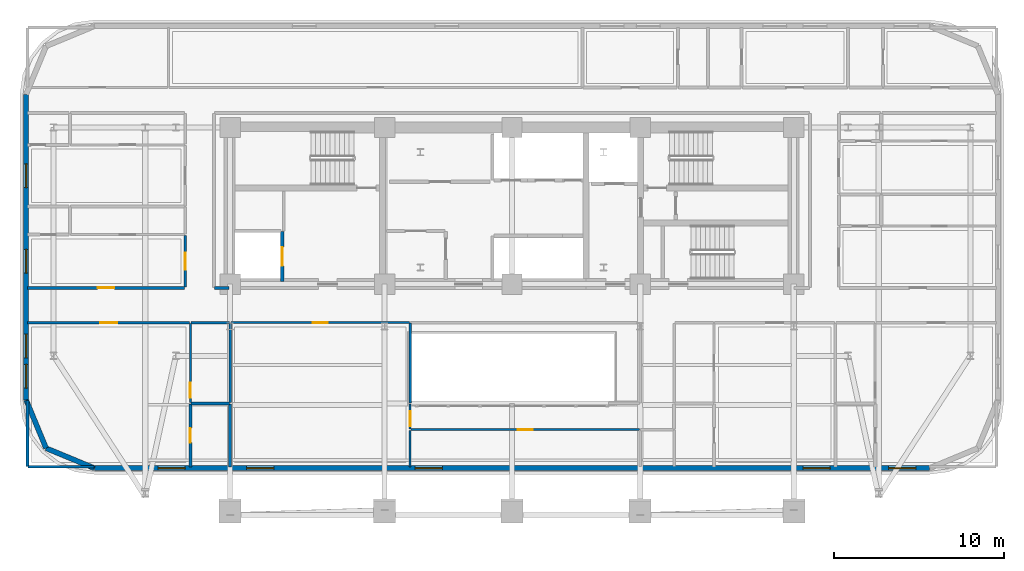
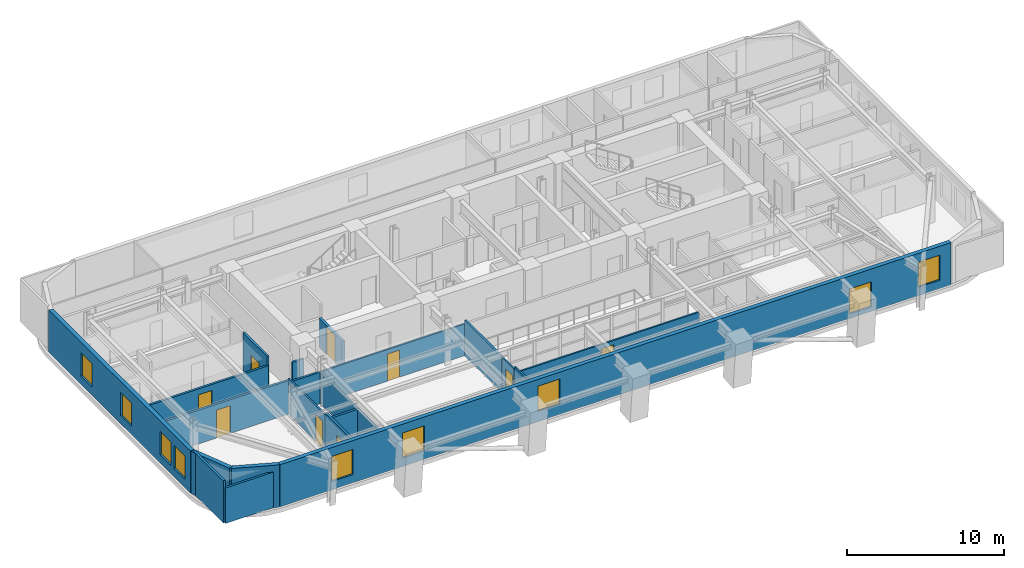
# One storey, part 7 of 14: 22 walls, 9 doors, 9 windows, 18 openings.
"""IFC4 building model written with IfcOpenShell, lengths in metres."""

from ifc_helpers import new_model, si_unit, direction, frame, frame_2d, origin, place, context, subcontext, project, spatial, rectangle, extrude, material, layer, layer_set, type_object, element, fill, save


model = new_model("IFC4")

# Units and contexts
model_context = context("Model", 3, precision=1e-05, world=origin(), true_north=direction((0.0, 1.0)))
body_context = subcontext(model_context, "Body", "Model", "MODEL_VIEW")
ifc_project = project(units=[si_unit("LENGTHUNIT", "METRE"), si_unit("AREAUNIT", "SQUARE_METRE"), si_unit("VOLUMEUNIT", "CUBIC_METRE"), si_unit("PLANEANGLEUNIT", "RADIAN"), si_unit("MASSUNIT", "GRAM", prefix="KILO")], contexts=[model_context])

# Site, building, storey
site_placement = place(None, origin())
site = spatial("IfcSite", under=ifc_project, at=site_placement, CompositionType="ELEMENT")
building_placement = place(site_placement, origin())
building = spatial("IfcBuilding", under=site, at=building_placement, Name="Zarnavel Station Tower", CompositionType="ELEMENT")
storey_placement = place(building_placement, frame((0.0, 0.0, 129.300048828125)))
storey = spatial("IfcBuildingStorey", under=building, at=storey_placement, Name="L35", CompositionType="ELEMENT", Elevation=129.300048828125)

# Wall, openings, windows
ifc_material_1 = material(Name="Precast concrete C45/55 (Dark Basalt Finish)", Category="masonry")
ifc_layer_1 = layer(ifc_material_1, 0.300048828125)
ifc_layer_set_1 = layer_set([ifc_layer_1], Name="EW_BASALT_300")
wall_type_1 = type_object("IfcWallType", Name="EW_BASALT_300", PredefinedType="SOLIDWALL", material=ifc_layer_set_1)
wall_1_placement = place(storey_placement, frame((0.179931640625, 21.0, 0.0), z_axis=(0.0, 0.0, 1.0), x_axis=(0.0, 1.0, 0.0)))
wall_1 = element("IfcWall", 1, at=wall_1_placement, inside=storey, type_object=wall_type_1, Name="L35 Exterior Basalt Masonry Frame Wall 09", PredefinedType="SOLIDWALL", context=body_context, shape_type="SweptSolid", body=[
    extrude(rectangle(XDim=18.0, YDim=0.300048828125, at=frame_2d((9.0, 0.0))), origin(), (0.0, 0.0, 1.0), 3.280029296875),
])
opening_1_placement = place(wall_1_placement, frame((7.470458984375, 0.0, 0.64990234375)))
opening_1 = element("IfcOpeningElement", 2, at=opening_1_placement, cuts=wall_1, Name="Opening WN01", PredefinedType="OPENING", context=body_context, shape_type="SweptSolid", body=[
    extrude(rectangle(XDim=1.39990234375, YDim=1.800048828125, at=frame_2d((0.699951171875, 0.89990234375))), frame((0.0, 0.159912109375, 0.0), z_axis=(0.0, -1.0, 0.0), x_axis=(1.0, 0.0, 0.0)), (0.0, 0.0, 1.0), 0.320068359375),
])
opening_2_placement = place(wall_1_placement, frame((12.509033203125, 0.0, 0.64990234375)))
opening_2 = element("IfcOpeningElement", 3, at=opening_2_placement, cuts=wall_1, Name="Opening WN01", PredefinedType="OPENING", context=body_context, shape_type="SweptSolid", body=[
    extrude(rectangle(XDim=1.39990234375, YDim=1.800048828125, at=frame_2d((0.699951171875, 0.89990234375))), frame((0.0, 0.159912109375, 0.0), z_axis=(0.0, -1.0, 0.0), x_axis=(1.0, 0.0, 0.0)), (0.0, 0.0, 1.0), 0.320068359375),
])
opening_3_placement = place(wall_1_placement, frame((0.69677734375, 0.0, 0.64990234375)))
opening_3 = element("IfcOpeningElement", 4, at=opening_3_placement, cuts=wall_1, Name="Opening WN01", PredefinedType="OPENING", context=body_context, shape_type="SweptSolid", body=[
    extrude(rectangle(XDim=1.39990234375, YDim=1.800048828125, at=frame_2d((0.699951171875, 0.89990234375))), frame((0.0, 0.159912109375, 0.0), z_axis=(0.0, -1.0, 0.0), x_axis=(1.0, 0.0, 0.0)), (0.0, 0.0, 1.0), 0.320068359375),
])
opening_4_placement = place(wall_1_placement, frame((2.473388671875, 0.0, 0.64990234375)))
opening_4 = element("IfcOpeningElement", 5, at=opening_4_placement, cuts=wall_1, Name="Opening WN01", PredefinedType="OPENING", context=body_context, shape_type="SweptSolid", body=[
    extrude(rectangle(XDim=1.39990234375, YDim=1.800048828125, at=frame_2d((0.699951171875, 0.89990234375))), frame((0.0, 0.159912109375, 0.0), z_axis=(0.0, -1.0, 0.0), x_axis=(1.0, 0.0, 0.0)), (0.0, 0.0, 1.0), 0.320068359375),
])
ifc_material_2 = material(Name="Thermally Broken Black Aluminium and Low-E Dark Glass", Category="aluminium")
window_type_1 = type_object("IfcWindowType", Name="WN_1400x1800", PartitioningType="DOUBLE_PANEL_VERTICAL", PredefinedType="WINDOW", material=ifc_material_2)
window_1_placement = place(opening_1_placement, origin())
window_1 = element("IfcWindow", 6, at=window_1_placement, inside=storey, type_object=window_type_1, Name="L35 Recessed Facade Window 01", OverallHeight=1.800048828125, OverallWidth=1.39990234375, PartitioningType="SINGLE_PANEL", PredefinedType="WINDOW", context=body_context, shape_type="SweptSolid", body=[
    extrude(rectangle(XDim=1.39990234375, YDim=1.800048828125, at=frame_2d((0.699951171875, 0.89990234375))), frame((0.0, 0.030029296875, 0.0), z_axis=(0.0, -1.0, 0.0), x_axis=(1.0, 0.0, 0.0)), (0.0, 0.0, 1.0), 0.06005859375),
])
fill(opening_1, window_1)
window_2_placement = place(opening_2_placement, origin())
window_2 = element("IfcWindow", 7, at=window_2_placement, inside=storey, type_object=window_type_1, Name="L35 Recessed Facade Window 02", OverallHeight=1.800048828125, OverallWidth=1.39990234375, PartitioningType="SINGLE_PANEL", PredefinedType="WINDOW", context=body_context, shape_type="SweptSolid", body=[
    extrude(rectangle(XDim=1.39990234375, YDim=1.800048828125, at=frame_2d((0.699951171875, 0.89990234375))), frame((0.0, 0.030029296875, 0.0), z_axis=(0.0, -1.0, 0.0), x_axis=(1.0, 0.0, 0.0)), (0.0, 0.0, 1.0), 0.06005859375),
])
fill(opening_2, window_2)
window_3_placement = place(opening_3_placement, origin())
window_3 = element("IfcWindow", 8, at=window_3_placement, inside=storey, type_object=window_type_1, Name="L35 Recessed Facade Window 03", OverallHeight=1.800048828125, OverallWidth=1.39990234375, PartitioningType="SINGLE_PANEL", PredefinedType="WINDOW", context=body_context, shape_type="SweptSolid", body=[
    extrude(rectangle(XDim=1.39990234375, YDim=1.800048828125, at=frame_2d((0.699951171875, 0.89990234375))), frame((0.0, 0.030029296875, 0.0), z_axis=(0.0, -1.0, 0.0), x_axis=(1.0, 0.0, 0.0)), (0.0, 0.0, 1.0), 0.06005859375),
])
fill(opening_3, window_3)
window_4_placement = place(opening_4_placement, origin())
window_4 = element("IfcWindow", 9, at=window_4_placement, inside=storey, type_object=window_type_1, Name="L35 Recessed Facade Window 04", OverallHeight=1.800048828125, OverallWidth=1.39990234375, PartitioningType="SINGLE_PANEL", PredefinedType="WINDOW", context=body_context, shape_type="SweptSolid", body=[
    extrude(rectangle(XDim=1.39990234375, YDim=1.800048828125, at=frame_2d((0.699951171875, 0.89990234375))), frame((0.0, 0.030029296875, 0.0), z_axis=(0.0, -1.0, 0.0), x_axis=(1.0, 0.0, 0.0)), (0.0, 0.0, 1.0), 0.06005859375),
])
fill(opening_4, window_4)

# Walls
for number, where, z_axis, x_axis, name in (
    (10, (1.357421875, 18.157470703125, 0.0), (0.0, 0.0, 1.0), (-0.382704529509, 0.923870793506, 0.0), "L35 Exterior Basalt Masonry Frame Wall 10"),
    (11, (4.199951171875, 16.97998046875, 0.0), (0.0, 0.0, 1.0), (-0.923870793506, 0.382704529509, 0.0), "L35 Exterior Basalt Masonry Frame Wall 11"),
):
    element("IfcWall", number, at=place(storey_placement, frame(where, z_axis=z_axis, x_axis=x_axis)), inside=storey, type_object=wall_type_1, Name=name, PredefinedType="SOLIDWALL", context=body_context, shape_type="SweptSolid", body=[
        extrude(rectangle(XDim=3.07666015625, YDim=0.300048828125, at=frame_2d((1.538330078125, 0.0))), origin(), (0.0, 0.0, 1.0), 3.280029296875),
    ])

# Wall, openings, windows
wall_2_placement = place(storey_placement, frame((53.39990234375, 16.97998046875, 0.0), z_axis=(0.0, 0.0, 1.0), x_axis=(-1.0, 0.0, 0.0)))
wall_2 = element("IfcWall", 12, at=wall_2_placement, inside=storey, type_object=wall_type_1, Name="L35 Exterior Basalt Masonry Frame Wall 12", PredefinedType="SOLIDWALL", context=body_context, shape_type="SweptSolid", body=[
    extrude(rectangle(XDim=49.199951171875, YDim=0.300048828125, at=frame_2d((24.60009765625, 0.0))), origin(), (0.0, 0.0, 1.0), 3.280029296875),
])
opening_5_placement = place(wall_2_placement, frame((43.85009765625, 0.0, 0.64990234375)))
opening_5 = element("IfcOpeningElement", 13, at=opening_5_placement, cuts=wall_2, Name="Opening WN06", PredefinedType="OPENING", context=body_context, shape_type="SweptSolid", body=[
    extrude(rectangle(XDim=1.60009765625, YDim=1.949951171875, at=frame_2d((0.800048828125, 0.97509765625))), frame((0.0, 0.159912109375, 0.0), z_axis=(0.0, -1.0, 0.0), x_axis=(1.0, 0.0, 0.0)), (0.0, 0.0, 1.0), 0.320068359375),
])
opening_6_placement = place(wall_2_placement, frame((38.6279296875, 0.0, 0.64990234375)))
opening_6 = element("IfcOpeningElement", 14, at=opening_6_placement, cuts=wall_2, Name="Opening WN06", PredefinedType="OPENING", context=body_context, shape_type="SweptSolid", body=[
    extrude(rectangle(XDim=1.60009765625, YDim=1.949951171875, at=frame_2d((0.800048828125, 0.97509765625))), frame((0.0, 0.159912109375, 0.0), z_axis=(0.0, -1.0, 0.0), x_axis=(1.0, 0.0, 0.0)), (0.0, 0.0, 1.0), 0.320068359375),
])
opening_7_placement = place(wall_2_placement, frame((28.699951171875, 0.0, 0.800048828125)))
opening_7 = element("IfcOpeningElement", 15, at=opening_7_placement, cuts=wall_2, Name="Opening WN06", PredefinedType="OPENING", context=body_context, shape_type="SweptSolid", body=[
    extrude(rectangle(XDim=1.60009765625, YDim=1.949951171875, at=frame_2d((0.800048828125, 0.97509765625))), frame((0.0, 0.159912109375, 0.0), z_axis=(0.0, -1.0, 0.0), x_axis=(1.0, 0.0, 0.0)), (0.0, 0.0, 1.0), 0.320068359375),
])
opening_8_placement = place(wall_2_placement, frame((5.85498046875, 0.0, 0.340087890625)))
opening_8 = element("IfcOpeningElement", 16, at=opening_8_placement, cuts=wall_2, Name="Opening WN06", PredefinedType="OPENING", context=body_context, shape_type="SweptSolid", body=[
    extrude(rectangle(XDim=1.60009765625, YDim=1.949951171875, at=frame_2d((0.800048828125, 0.97509765625))), frame((0.0, 0.159912109375, 0.0), z_axis=(0.0, -1.0, 0.0), x_axis=(1.0, 0.0, 0.0)), (0.0, 0.0, 1.0), 0.320068359375),
])
opening_9_placement = place(wall_2_placement, frame((0.8125, 0.0, 0.64990234375)))
opening_9 = element("IfcOpeningElement", 17, at=opening_9_placement, cuts=wall_2, Name="Opening WN06", PredefinedType="OPENING", context=body_context, shape_type="SweptSolid", body=[
    extrude(rectangle(XDim=1.60009765625, YDim=1.949951171875, at=frame_2d((0.800048828125, 0.97509765625))), frame((0.0, 0.159912109375, 0.0), z_axis=(0.0, -1.0, 0.0), x_axis=(1.0, 0.0, 0.0)), (0.0, 0.0, 1.0), 0.320068359375),
])
ifc_material_3 = material(Name="Thermally Broken Black Aluminium and Low-E Dark Glass", Category="aluminium")
window_type_2 = type_object("IfcWindowType", Name="WN_1600x1950", PartitioningType="DOUBLE_PANEL_VERTICAL", PredefinedType="WINDOW", material=ifc_material_3)
window_5_placement = place(opening_5_placement, origin())
window_5 = element("IfcWindow", 18, at=window_5_placement, inside=storey, type_object=window_type_2, Name="L35 Recessed Facade Window 01", OverallHeight=1.949951171875, OverallWidth=1.60009765625, PartitioningType="SINGLE_PANEL", PredefinedType="WINDOW", context=body_context, shape_type="SweptSolid", body=[
    extrude(rectangle(XDim=1.60009765625, YDim=1.949951171875, at=frame_2d((0.800048828125, 0.97509765625))), frame((0.0, 0.030029296875, 0.0), z_axis=(0.0, -1.0, 0.0), x_axis=(1.0, 0.0, 0.0)), (0.0, 0.0, 1.0), 0.06005859375),
])
fill(opening_5, window_5)
window_6_placement = place(opening_6_placement, origin())
window_6 = element("IfcWindow", 19, at=window_6_placement, inside=storey, type_object=window_type_2, Name="L35 Recessed Facade Window 02", OverallHeight=1.949951171875, OverallWidth=1.60009765625, PartitioningType="SINGLE_PANEL", PredefinedType="WINDOW", context=body_context, shape_type="SweptSolid", body=[
    extrude(rectangle(XDim=1.60009765625, YDim=1.949951171875, at=frame_2d((0.800048828125, 0.97509765625))), frame((0.0, 0.030029296875, 0.0), z_axis=(0.0, -1.0, 0.0), x_axis=(1.0, 0.0, 0.0)), (0.0, 0.0, 1.0), 0.06005859375),
])
fill(opening_6, window_6)
window_7_placement = place(opening_7_placement, origin())
window_7 = element("IfcWindow", 20, at=window_7_placement, inside=storey, type_object=window_type_2, Name="L35 Recessed Facade Window 03", OverallHeight=1.949951171875, OverallWidth=1.60009765625, PartitioningType="SINGLE_PANEL", PredefinedType="WINDOW", context=body_context, shape_type="SweptSolid", body=[
    extrude(rectangle(XDim=1.60009765625, YDim=1.949951171875, at=frame_2d((0.800048828125, 0.97509765625))), frame((0.0, 0.030029296875, 0.0), z_axis=(0.0, -1.0, 0.0), x_axis=(1.0, 0.0, 0.0)), (0.0, 0.0, 1.0), 0.06005859375),
])
fill(opening_7, window_7)
window_8_placement = place(opening_8_placement, origin())
window_8 = element("IfcWindow", 21, at=window_8_placement, inside=storey, type_object=window_type_2, Name="L35 Recessed Facade Window 04", OverallHeight=1.949951171875, OverallWidth=1.60009765625, PartitioningType="SINGLE_PANEL", PredefinedType="WINDOW", context=body_context, shape_type="SweptSolid", body=[
    extrude(rectangle(XDim=1.60009765625, YDim=1.949951171875, at=frame_2d((0.800048828125, 0.97509765625))), frame((0.0, 0.030029296875, 0.0), z_axis=(0.0, -1.0, 0.0), x_axis=(1.0, 0.0, 0.0)), (0.0, 0.0, 1.0), 0.06005859375),
])
fill(opening_8, window_8)
window_9_placement = place(opening_9_placement, origin())
window_9 = element("IfcWindow", 22, at=window_9_placement, inside=storey, type_object=window_type_2, Name="L35 Recessed Facade Window 05", OverallHeight=1.949951171875, OverallWidth=1.60009765625, PartitioningType="SINGLE_PANEL", PredefinedType="WINDOW", context=body_context, shape_type="SweptSolid", body=[
    extrude(rectangle(XDim=1.60009765625, YDim=1.949951171875, at=frame_2d((0.800048828125, 0.97509765625))), frame((0.0, 0.030029296875, 0.0), z_axis=(0.0, -1.0, 0.0), x_axis=(1.0, 0.0, 0.0)), (0.0, 0.0, 1.0), 0.06005859375),
])
fill(opening_9, window_9)

# Wall, opening, door
ifc_material_4 = material(Name="Gypsum Twin-Stud Acoustic Fire Partition", Category="concrete")
ifc_layer_2 = layer(ifc_material_4, 0.159912109375)
ifc_layer_set_2 = layer_set([ifc_layer_2], Name="PT_DEMISE_160")
wall_type_2 = type_object("IfcWallType", Name="PT_DEMISE_160", PredefinedType="PARTITIONING", material=ifc_layer_set_2)
wall_3_placement = place(storey_placement, frame((0.260009765625, 27.60009765625, 0.0), z_axis=(0.0, 0.0, 1.0), x_axis=(1.0, 0.0, 0.0)))
wall_3 = element("IfcWall", 23, at=wall_3_placement, inside=storey, type_object=wall_type_2, Name="L35 Partition COR-S-FNW1R", PredefinedType="PARTITIONING", context=body_context, shape_type="SweptSolid", body=[
    extrude(rectangle(XDim=9.25, YDim=0.159912109375, at=frame_2d((4.625, 0.0))), origin(), (0.0, 0.0, 1.0), 2.60986328125),
])
opening_10_placement = place(wall_3_placement, frame((4.125, 0.0, 0.0)))
opening_10 = element("IfcOpeningElement", 24, at=opening_10_placement, cuts=wall_3, Name="Opening FD02", PredefinedType="OPENING", context=body_context, shape_type="SweptSolid", body=[
    extrude(rectangle(XDim=1.0, YDim=2.14990234375, at=frame_2d((0.5, 1.074951171875))), frame((0.0, 0.08984375, 0.0), z_axis=(0.0, -1.0, 0.0), x_axis=(1.0, 0.0, 0.0)), (0.0, 0.0, 1.0), 0.179931640625),
])
ifc_material_5 = material(Name="Painted Galvanised Steel and Hardwood Leaf", Category="steel")
door_type_1 = type_object("IfcDoorType", Name="ID_ENTRY_1000", OperationType="NOTDEFINED", PredefinedType="DOOR", material=ifc_material_5)
door_1_placement = place(opening_10_placement, origin())
door_1 = element("IfcDoor", 25, at=door_1_placement, inside=storey, type_object=door_type_1, Name="L35 Door COR-S-FNW1R", OperationType="SINGLE_SWING_LEFT", OverallHeight=2.14990234375, OverallWidth=1.0, PredefinedType="DOOR", context=body_context, shape_type="SweptSolid", body=[
    extrude(rectangle(XDim=1.0, YDim=2.14990234375, at=frame_2d((0.5, 1.074951171875))), frame((0.0, 0.02490234375, 0.0), z_axis=(0.0, -1.0, 0.0), x_axis=(1.0, 0.0, 0.0)), (0.0, 0.0, 1.0), 0.050048828125),
])
fill(opening_10, door_1)

wall_4_placement = place(storey_placement, frame((0.260009765625, 25.550048828125, 0.0), z_axis=(0.0, 0.0, 1.0), x_axis=(1.0, 0.0, 0.0)))
wall_4 = element("IfcWall", 26, at=wall_4_placement, inside=storey, type_object=wall_type_2, Name="L35 Partition COR-S-HW1R", PredefinedType="PARTITIONING", context=body_context, shape_type="SweptSolid", body=[
    extrude(rectangle(XDim=9.550048828125, YDim=0.159912109375, at=frame_2d((4.77490234375, 0.0))), origin(), (0.0, 0.0, 1.0), 2.60986328125),
])
opening_11_placement = place(wall_4_placement, frame((4.27490234375, 0.0, 0.0)))
opening_11 = element("IfcOpeningElement", 27, at=opening_11_placement, cuts=wall_4, Name="Opening FD02", PredefinedType="OPENING", context=body_context, shape_type="SweptSolid", body=[
    extrude(rectangle(XDim=1.0, YDim=2.14990234375, at=frame_2d((0.5, 1.074951171875))), frame((0.0, 0.08984375, 0.0), z_axis=(0.0, -1.0, 0.0), x_axis=(1.0, 0.0, 0.0)), (0.0, 0.0, 1.0), 0.179931640625),
])
door_2_placement = place(opening_11_placement, origin())
door_2 = element("IfcDoor", 28, at=door_2_placement, inside=storey, type_object=door_type_1, Name="L35 Door COR-S-HW1R", OperationType="SINGLE_SWING_LEFT", OverallHeight=2.14990234375, OverallWidth=1.0, PredefinedType="DOOR", context=body_context, shape_type="SweptSolid", body=[
    extrude(rectangle(XDim=1.0, YDim=2.14990234375, at=frame_2d((0.5, 1.074951171875))), frame((0.0, 0.02490234375, 0.0), z_axis=(0.0, -1.0, 0.0), x_axis=(1.0, 0.0, 0.0)), (0.0, 0.0, 1.0), 0.050048828125),
])
fill(opening_11, door_2)

# Wall
wall_5_placement = place(storey_placement, frame((9.889892578125, 25.550048828125, 0.0), z_axis=(0.0, 0.0, 1.0), x_axis=(1.0, 0.0, 0.0)))
element("IfcWall", 29, at=wall_5_placement, inside=storey, type_object=wall_type_2, Name="L35 Partition COR-S-HW1S", PredefinedType="PARTITIONING", context=body_context, shape_type="SweptSolid", body=[
    extrude(rectangle(XDim=2.27001953125, YDim=0.159912109375, at=frame_2d((1.135009765625, 0.0))), origin(), (0.0, 0.0, 1.0), 2.446044921875),
])

# Wall, opening, door
wall_6_placement = place(storey_placement, frame((9.550048828125, 27.639892578125, 0.0), z_axis=(0.0, 0.0, 1.0), x_axis=(0.0, 1.0, 0.0)))
wall_6 = element("IfcWall", 30, at=wall_6_placement, inside=storey, type_object=wall_type_2, Name="L35 Partition COR-W-FNW1R", PredefinedType="PARTITIONING", context=body_context, shape_type="SweptSolid", body=[
    extrude(rectangle(XDim=3.06103515625, YDim=0.159912109375, at=frame_2d((1.530517578125, 0.0))), origin(), (0.0, 0.0, 1.0), 3.280029296875),
])
opening_12_placement = place(wall_6_placement, frame((1.030517578125, 0.0, 0.0)))
opening_12 = element("IfcOpeningElement", 31, at=opening_12_placement, cuts=wall_6, Name="Opening FD02", PredefinedType="OPENING", context=body_context, shape_type="SweptSolid", body=[
    extrude(rectangle(XDim=1.0, YDim=2.14990234375, at=frame_2d((0.5, 1.074951171875))), frame((0.0, 0.08984375, 0.0), z_axis=(0.0, -1.0, 0.0), x_axis=(1.0, 0.0, 0.0)), (0.0, 0.0, 1.0), 0.179931640625),
])
door_3_placement = place(opening_12_placement, origin())
door_3 = element("IfcDoor", 32, at=door_3_placement, inside=storey, type_object=door_type_1, Name="L35 Door COR-W-FNW1R", OperationType="SINGLE_SWING_LEFT", OverallHeight=2.14990234375, OverallWidth=1.0, PredefinedType="DOOR", context=body_context, shape_type="SweptSolid", body=[
    extrude(rectangle(XDim=1.0, YDim=2.14990234375, at=frame_2d((0.5, 1.074951171875))), frame((0.0, 0.02490234375, 0.0), z_axis=(0.0, -1.0, 0.0), x_axis=(1.0, 0.0, 0.0)), (0.0, 0.0, 1.0), 0.050048828125),
])
fill(opening_12, door_3)

# Walls
wall_7_placement = place(storey_placement, frame((12.199951171875, 20.8359375, 0.0), z_axis=(0.0, 0.0, 1.0), x_axis=(0.0, 1.0, 0.0)))
element("IfcWall", 33, at=wall_7_placement, inside=storey, type_object=wall_type_2, Name="L35 Partition HW1S-L35OFF", PredefinedType="PARTITIONING", context=body_context, shape_type="SweptSolid", body=[
    extrude(rectangle(XDim=4.674072265625, YDim=0.159912109375, at=frame_2d((2.3369140625, 0.0))), origin(), (0.0, 0.0, 1.0), 2.446044921875),
])
wall_8_placement = place(storey_placement, frame((11.280029296875, 27.60009765625, 0.0), z_axis=(0.0, 0.0, 1.0), x_axis=(1.0, 0.0, 0.0)))
element("IfcWall", 34, at=wall_8_placement, inside=storey, type_object=wall_type_2, Name="L35 Enclosure Wall COR-S", PredefinedType="PARTITIONING", context=body_context, shape_type="SweptSolid", body=[
    extrude(rectangle(XDim=0.840087890625, YDim=0.159912109375, at=frame_2d((0.419921875, 0.0))), origin(), (0.0, 0.0, 1.0), 2.251953125),
])
wall_9_placement = place(storey_placement, frame((0.2900390625, 17.06005859375, 0.0), z_axis=(0.0, 0.0, 1.0), x_axis=(1.0, 0.0, 0.0)))
element("IfcWall", 35, at=wall_9_placement, inside=storey, type_object=wall_type_2, Name="L35 Enclosure Wall HW1R", PredefinedType="PARTITIONING", context=body_context, shape_type="SweptSolid", body=[
    extrude(rectangle(XDim=3.8798828125, YDim=0.159912109375, at=frame_2d((1.93994140625, 0.0))), origin(), (0.0, 0.0, 1.0), 2.760009765625),
])
wall_10_placement = place(storey_placement, frame((0.260009765625, 17.090087890625, 0.0), z_axis=(0.0, 0.0, 1.0), x_axis=(0.0, 1.0, 0.0)))
element("IfcWall", 36, at=wall_10_placement, inside=storey, type_object=wall_type_2, Name="L35 Enclosure Wall HW1R", PredefinedType="PARTITIONING", context=body_context, shape_type="SweptSolid", body=[
    extrude(rectangle(XDim=3.8798828125, YDim=0.159912109375, at=frame_2d((1.93994140625, 0.0))), origin(), (0.0, 0.0, 1.0), 3.280029296875),
])
wall_11_placement = place(storey_placement, frame((22.800048828125, 20.830078125, 0.0), z_axis=(0.0, 0.0, 1.0), x_axis=(0.0, 1.0, 0.0)))
element("IfcWall", 37, at=wall_11_placement, inside=storey, type_object=wall_type_2, Name="L35 Enclosure Wall L35OFF", PredefinedType="PARTITIONING", context=body_context, shape_type="SweptSolid", body=[
    extrude(rectangle(XDim=4.68994140625, YDim=0.159912109375, at=frame_2d((2.344970703125, 0.0))), origin(), (0.0, 0.0, 1.0), 2.719970703125),
])

# Wall, opening, door
ifc_material_6 = material(Name="Gypsum Metal-Stud Interior Partition", Category="concrete")
ifc_layer_3 = layer(ifc_material_6, 0.1201171875)
ifc_layer_set_3 = layer_set([ifc_layer_3], Name="PT_ROOM_120")
wall_type_3 = type_object("IfcWallType", Name="PT_ROOM_120", PredefinedType="PARTITIONING", material=ifc_layer_set_3)
wall_12_placement = place(storey_placement, frame((12.239990234375, 25.550048828125, 0.0), z_axis=(0.0, 0.0, 1.0), x_axis=(1.0, 0.0, 0.0)))
wall_12 = element("IfcWall", 38, at=wall_12_placement, inside=storey, type_object=wall_type_3, Name="L35 Partition COR-S-L35OFF", PredefinedType="PARTITIONING", context=body_context, shape_type="SweptSolid", body=[
    extrude(rectangle(XDim=10.52001953125, YDim=0.1201171875, at=frame_2d((5.260009765625, 0.0))), origin(), (0.0, 0.0, 1.0), 2.446044921875),
])
opening_13_placement = place(wall_12_placement, frame((4.81005859375, 0.0, 0.0)))
opening_13 = element("IfcOpeningElement", 39, at=opening_13_placement, cuts=wall_12, Name="Opening ID01", PredefinedType="OPENING", context=body_context, shape_type="SweptSolid", body=[
    extrude(rectangle(XDim=0.89990234375, YDim=2.10009765625, at=frame_2d((0.449951171875, 1.050048828125))), frame((0.0, 0.070068359375, 0.0), z_axis=(0.0, -1.0, 0.0), x_axis=(1.0, 0.0, 0.0)), (0.0, 0.0, 1.0), 0.14013671875),
])
ifc_material_7 = material(Name="Painted Galvanised Steel and Hardwood Leaf", Category="steel")
door_type_2 = type_object("IfcDoorType", Name="ID_ROOM_900", OperationType="NOTDEFINED", PredefinedType="DOOR", material=ifc_material_7)
door_4_placement = place(opening_13_placement, origin())
door_4 = element("IfcDoor", 40, at=door_4_placement, inside=storey, type_object=door_type_2, Name="L35 Door COR-S-L35OFF", OperationType="SINGLE_SWING_RIGHT", OverallHeight=2.10009765625, OverallWidth=0.89990234375, PredefinedType="DOOR", context=body_context, shape_type="SweptSolid", body=[
    extrude(rectangle(XDim=0.89990234375, YDim=2.10009765625, at=frame_2d((0.449951171875, 1.050048828125))), frame((0.0, 0.02490234375, 0.0), z_axis=(0.0, -1.0, 0.0), x_axis=(1.0, 0.0, 0.0)), (0.0, 0.0, 1.0), 0.050048828125),
])
fill(opening_13, door_4)

wall_13_placement = place(storey_placement, frame((22.800048828125, 19.2900390625, 0.0), z_axis=(0.0, 0.0, 1.0), x_axis=(0.0, 1.0, 0.0)))
wall_13 = element("IfcWall", 41, at=wall_13_placement, inside=storey, type_object=wall_type_3, Name="L35 Partition COR-AS-L35OFF", PredefinedType="PARTITIONING", context=body_context, shape_type="SweptSolid", body=[
    extrude(rectangle(XDim=1.469970703125, YDim=0.1201171875, at=frame_2d((0.73486328125, 0.0))), origin(), (0.0, 0.0, 1.0), 2.719970703125),
])
opening_14_placement = place(wall_13_placement, frame((0.152099609375, 0.0, 0.0)))
opening_14 = element("IfcOpeningElement", 42, at=opening_14_placement, cuts=wall_13, Name="Opening ID01", PredefinedType="OPENING", context=body_context, shape_type="SweptSolid", body=[
    extrude(rectangle(XDim=0.89990234375, YDim=2.10009765625, at=frame_2d((0.449951171875, 1.050048828125))), frame((0.0, 0.070068359375, 0.0), z_axis=(0.0, -1.0, 0.0), x_axis=(1.0, 0.0, 0.0)), (0.0, 0.0, 1.0), 0.14013671875),
])
door_5_placement = place(opening_14_placement, origin())
door_5 = element("IfcDoor", 43, at=door_5_placement, inside=storey, type_object=door_type_2, Name="L35 Door COR-AS-L35OFF", OperationType="SINGLE_SWING_RIGHT", OverallHeight=2.10009765625, OverallWidth=0.89990234375, PredefinedType="DOOR", context=body_context, shape_type="SweptSolid", body=[
    extrude(rectangle(XDim=0.89990234375, YDim=2.10009765625, at=frame_2d((0.449951171875, 1.050048828125))), frame((0.0, 0.02490234375, 0.0), z_axis=(0.0, -1.0, 0.0), x_axis=(1.0, 0.0, 0.0)), (0.0, 0.0, 1.0), 0.050048828125),
])
fill(opening_14, door_5)

wall_14_placement = place(storey_placement, frame((22.840087890625, 19.25, 0.0), z_axis=(0.0, 0.0, 1.0), x_axis=(1.0, 0.0, 0.0)))
wall_14 = element("IfcWall", 44, at=wall_14_placement, inside=storey, type_object=wall_type_3, Name="L35 Partition COR-AS-L35BAN", PredefinedType="PARTITIONING", context=body_context, shape_type="SweptSolid", body=[
    extrude(rectangle(XDim=13.469970703125, YDim=0.1201171875, at=frame_2d((6.73486328125, 0.0))), origin(), (0.0, 0.0, 1.0), 2.446044921875),
])
opening_15_placement = place(wall_14_placement, frame((6.284912109375, 0.0, 0.0)))
opening_15 = element("IfcOpeningElement", 45, at=opening_15_placement, cuts=wall_14, Name="Opening ID01", PredefinedType="OPENING", context=body_context, shape_type="SweptSolid", body=[
    extrude(rectangle(XDim=0.89990234375, YDim=2.10009765625, at=frame_2d((0.449951171875, 1.050048828125))), frame((0.0, 0.070068359375, 0.0), z_axis=(0.0, -1.0, 0.0), x_axis=(1.0, 0.0, 0.0)), (0.0, 0.0, 1.0), 0.14013671875),
])
door_6_placement = place(opening_15_placement, origin())
door_6 = element("IfcDoor", 46, at=door_6_placement, inside=storey, type_object=door_type_2, Name="L35 Door COR-AS-L35BAN", OperationType="SINGLE_SWING_LEFT", OverallHeight=2.10009765625, OverallWidth=0.89990234375, PredefinedType="DOOR", context=body_context, shape_type="SweptSolid", body=[
    extrude(rectangle(XDim=0.89990234375, YDim=2.10009765625, at=frame_2d((0.449951171875, 1.050048828125))), frame((0.0, 0.02490234375, 0.0), z_axis=(0.0, -1.0, 0.0), x_axis=(1.0, 0.0, 0.0)), (0.0, 0.0, 1.0), 0.050048828125),
])
fill(opening_15, door_6)

wall_15_placement = place(storey_placement, frame((9.85009765625, 20.8359375, 0.0), z_axis=(0.0, 0.0, 1.0), x_axis=(0.0, 1.0, 0.0)))
wall_15 = element("IfcWall", 47, at=wall_15_placement, inside=storey, type_object=wall_type_3, Name="L35 Partition HW1R-HW1S", PredefinedType="PARTITIONING", context=body_context, shape_type="SweptSolid", body=[
    extrude(rectangle(XDim=4.674072265625, YDim=0.1201171875, at=frame_2d((2.3369140625, 0.0))), origin(), (0.0, 0.0, 1.0), 2.760009765625),
])
opening_16_placement = place(wall_15_placement, frame((0.28564453125, 0.0, 0.0)))
opening_16 = element("IfcOpeningElement", 48, at=opening_16_placement, cuts=wall_15, Name="Opening ID01", PredefinedType="OPENING", context=body_context, shape_type="SweptSolid", body=[
    extrude(rectangle(XDim=0.89990234375, YDim=2.10009765625, at=frame_2d((0.449951171875, 1.050048828125))), frame((0.0, 0.070068359375, 0.0), z_axis=(0.0, -1.0, 0.0), x_axis=(1.0, 0.0, 0.0)), (0.0, 0.0, 1.0), 0.14013671875),
])
door_7_placement = place(opening_16_placement, origin())
door_7 = element("IfcDoor", 49, at=door_7_placement, inside=storey, type_object=door_type_2, Name="L35 Door HW1R-HW1S", OperationType="SINGLE_SWING_RIGHT", OverallHeight=2.10009765625, OverallWidth=0.89990234375, PredefinedType="DOOR", context=body_context, shape_type="SweptSolid", body=[
    extrude(rectangle(XDim=0.89990234375, YDim=2.10009765625, at=frame_2d((0.449951171875, 1.050048828125))), frame((0.0, 0.02490234375, 0.0), z_axis=(0.0, -1.0, 0.0), x_axis=(1.0, 0.0, 0.0)), (0.0, 0.0, 1.0), 0.050048828125),
])
fill(opening_16, door_7)

# Wall
wall_16_placement = place(storey_placement, frame((22.800048828125, 17.06005859375, 0.0), z_axis=(0.0, 0.0, 1.0), x_axis=(0.0, 1.0, 0.0)))
element("IfcWall", 50, at=wall_16_placement, inside=storey, type_object=wall_type_3, Name="L35 Partition L35OFF-L35BAN", PredefinedType="PARTITIONING", context=body_context, shape_type="SweptSolid", body=[
    extrude(rectangle(XDim=2.14990234375, YDim=0.1201171875, at=frame_2d((1.074951171875, 0.0))), origin(), (0.0, 0.0, 1.0), 2.9599609375),
])

# Wall, opening, door
ifc_material_8 = material(Name="Precast concrete C45/55 (Fire Shaft Blockwork)", Category="masonry")
ifc_layer_4 = layer(ifc_material_8, 0.199951171875)
ifc_layer_set_4 = layer_set([ifc_layer_4], Name="PT_SHAFT_200")
wall_type_4 = type_object("IfcWallType", Name="PT_SHAFT_200", PredefinedType="PARTITIONING", material=ifc_layer_set_4)
wall_17_placement = place(storey_placement, frame((15.27001953125, 27.969970703125, 0.0), z_axis=(0.0, 0.0, 1.0), x_axis=(0.0, 1.0, 0.0)))
wall_17 = element("IfcWall", 51, at=wall_17_placement, inside=storey, type_object=wall_type_4, Name="L35 Lift FFL-01 Shaft Front Wall", PredefinedType="PARTITIONING", context=body_context, shape_type="SweptSolid", body=[
    extrude(rectangle(XDim=2.9599609375, YDim=0.199951171875, at=frame_2d((1.47998046875, 0.0))), origin(), (0.0, 0.0, 1.0), 2.251953125),
])
opening_17_placement = place(wall_17_placement, frame((0.929931640625, 0.0, 0.0)))
opening_17 = element("IfcOpeningElement", 52, at=opening_17_placement, cuts=wall_17, Name="Opening LD01", PredefinedType="OPENING", context=body_context, shape_type="SweptSolid", body=[
    extrude(rectangle(XDim=1.10009765625, YDim=2.14990234375, at=frame_2d((0.550048828125, 1.074951171875))), frame((0.0, 0.10986328125, 0.0), z_axis=(0.0, -1.0, 0.0), x_axis=(1.0, 0.0, 0.0)), (0.0, 0.0, 1.0), 0.219970703125),
])
ifc_material_9 = material(Name="Painted Galvanised Steel and Hardwood Leaf", Category="steel")
door_type_3 = type_object("IfcDoorType", Name="LD_FF_1100", OperationType="DOUBLE_DOOR_SLIDING", PredefinedType="DOOR", material=ifc_material_9)
door_8_placement = place(opening_17_placement, origin())
door_8 = element("IfcDoor", 53, at=door_8_placement, inside=storey, type_object=door_type_3, Name="L35 Lift FFL-01 Sliding Landing Door", OperationType="DOUBLE_DOOR_SLIDING", OverallHeight=2.14990234375, OverallWidth=1.10009765625, PredefinedType="DOOR", context=body_context, shape_type="SweptSolid", body=[
    extrude(rectangle(XDim=1.10009765625, YDim=2.14990234375, at=frame_2d((0.550048828125, 1.074951171875))), frame((0.0, 0.02490234375, 0.0), z_axis=(0.0, -1.0, 0.0), x_axis=(1.0, 0.0, 0.0)), (0.0, 0.0, 1.0), 0.050048828125),
])
fill(opening_17, door_8)

ifc_material_10 = material(Name="Moisture-Resistant Plumbing Chase Wall", Category="concrete")
ifc_layer_5 = layer(ifc_material_10, 0.179931640625)
ifc_layer_set_5 = layer_set([ifc_layer_5], Name="PW_PLUMB_180")
wall_type_5 = type_object("IfcWallType", Name="PW_PLUMB_180", PredefinedType="PLUMBINGWALL", material=ifc_layer_set_5)
wall_18_placement = place(storey_placement, frame((9.85009765625, 17.06005859375, 0.0), z_axis=(0.0, 0.0, 1.0), x_axis=(0.0, 1.0, 0.0)))
wall_18 = element("IfcWall", 54, at=wall_18_placement, inside=storey, type_object=wall_type_5, Name="L35 Partition HW1R-HW1B", PredefinedType="PLUMBINGWALL", context=body_context, shape_type="SweptSolid", body=[
    extrude(rectangle(XDim=3.696044921875, YDim=0.179931640625, at=frame_2d((1.84814453125, 0.0))), origin(), (0.0, 0.0, 1.0), 2.9599609375),
])
opening_18_placement = place(wall_18_placement, frame((1.423095703125, 0.0, 0.0)))
opening_18 = element("IfcOpeningElement", 55, at=opening_18_placement, cuts=wall_18, Name="Opening ID02", PredefinedType="OPENING", context=body_context, shape_type="SweptSolid", body=[
    extrude(rectangle(XDim=0.85009765625, YDim=2.10009765625, at=frame_2d((0.425048828125, 1.050048828125))), frame((0.0, 0.099853515625, 0.0), z_axis=(0.0, -1.0, 0.0), x_axis=(1.0, 0.0, 0.0)), (0.0, 0.0, 1.0), 0.199951171875),
])
ifc_material_11 = material(Name="Painted Galvanised Steel and Hardwood Leaf", Category="steel")
door_type_4 = type_object("IfcDoorType", Name="ID_BATH_850", OperationType="NOTDEFINED", PredefinedType="DOOR", material=ifc_material_11)
door_9_placement = place(opening_18_placement, origin())
door_9 = element("IfcDoor", 56, at=door_9_placement, inside=storey, type_object=door_type_4, Name="L35 Door HW1R-HW1B", OperationType="SINGLE_SWING_LEFT", OverallHeight=2.10009765625, OverallWidth=0.85009765625, PredefinedType="DOOR", context=body_context, shape_type="SweptSolid", body=[
    extrude(rectangle(XDim=0.85009765625, YDim=2.10009765625, at=frame_2d((0.425048828125, 1.050048828125))), frame((0.0, 0.02490234375, 0.0), z_axis=(0.0, -1.0, 0.0), x_axis=(1.0, 0.0, 0.0)), (0.0, 0.0, 1.0), 0.050048828125),
])
fill(opening_18, door_9)

# Walls
wall_19_placement = place(storey_placement, frame((9.889892578125, 20.7958984375, 0.0), z_axis=(0.0, 0.0, 1.0), x_axis=(1.0, 0.0, 0.0)))
element("IfcWall", 57, at=wall_19_placement, inside=storey, type_object=wall_type_5, Name="L35 Partition HW1B-HW1S", PredefinedType="PLUMBINGWALL", context=body_context, shape_type="SweptSolid", body=[
    extrude(rectangle(XDim=2.27001953125, YDim=0.179931640625, at=frame_2d((1.135009765625, 0.0))), origin(), (0.0, 0.0, 1.0), 2.446044921875),
])
wall_20_placement = place(storey_placement, frame((12.199951171875, 17.06005859375, 0.0), z_axis=(0.0, 0.0, 1.0), x_axis=(0.0, 1.0, 0.0)))
element("IfcWall", 58, at=wall_20_placement, inside=storey, type_object=wall_type_5, Name="L35 Partition HW1B-L35OFF", PredefinedType="PLUMBINGWALL", context=body_context, shape_type="SweptSolid", body=[
    extrude(rectangle(XDim=3.696044921875, YDim=0.179931640625, at=frame_2d((1.84814453125, 0.0))), origin(), (0.0, 0.0, 1.0), 2.446044921875),
])

save(model, "model.ifc")
